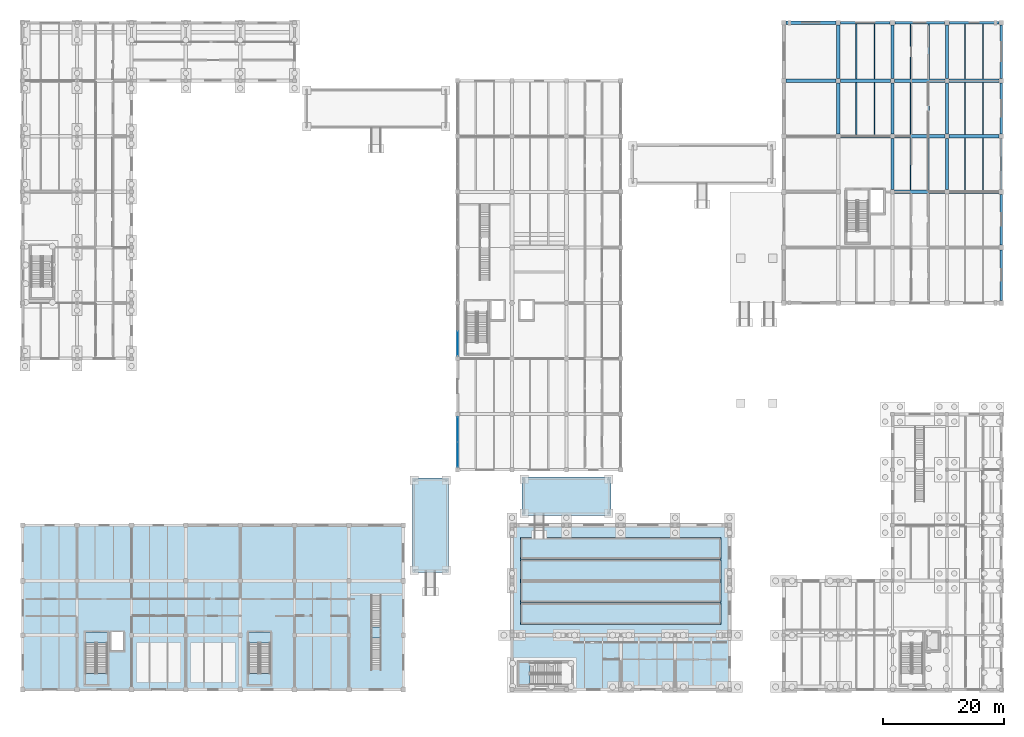
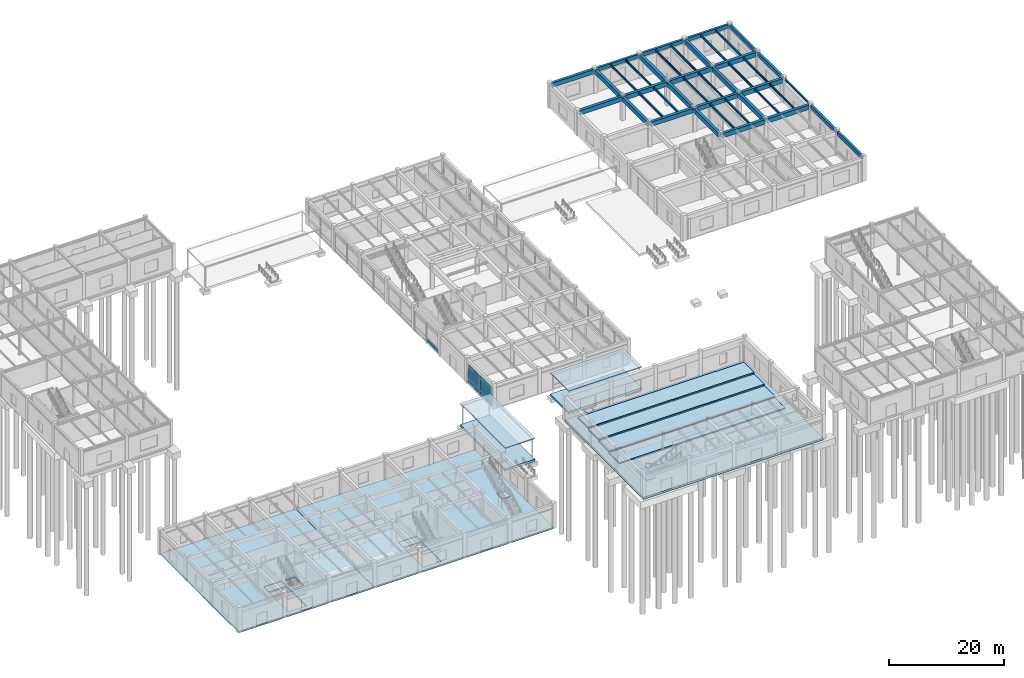
# One storey, part 35 of 76: 42 beams, 17 slabs, 7 plates, 6 elements without a shape of their own.
"""IFC4 building model written with IfcOpenShell, lengths in metres."""

from ifc_helpers import new_model, si_unit, direction, frame, origin, origin_2d, place, context, subcontext, project, spatial, polyline, rectangle, i_section, outline, extrude, material, layer, layer_set, material_profile, profile_set, type_object, element, aggregate, save


model = new_model("IFC4")

# Units and contexts
model_context = context("Model", 3, precision=1e-05, world=origin(), true_north=direction((0.0, 1.0)))
body_context = subcontext(model_context, "Body", "Model", "MODEL_VIEW")
ifc_project = project(units=[si_unit("LENGTHUNIT", "METRE"), si_unit("AREAUNIT", "SQUARE_METRE"), si_unit("VOLUMEUNIT", "CUBIC_METRE"), si_unit("PLANEANGLEUNIT", "RADIAN"), si_unit("MASSUNIT", "GRAM", prefix="KILO")], contexts=[model_context])

# Site, building, storey
site_placement = place(None, origin())
site = spatial("IfcSite", under=ifc_project, at=site_placement, CompositionType="ELEMENT")
building_placement = place(site_placement, origin())
building = spatial("IfcBuilding", under=site, at=building_placement, Name="Bozkorgan Art Gallery", CompositionType="ELEMENT")
storey_placement = place(building_placement, origin())
storey = spatial("IfcBuildingStorey", under=building, at=storey_placement, Name="L00", CompositionType="ELEMENT", Elevation=0.0)

# Beams
ifc_material_1 = material(Name="Concrete C35/45", Category="concrete")
ifc_material_profile_1 = material_profile(ifc_material_1, rectangle(XDim=0.550048828125, YDim=0.949951171875, at=origin_2d()), Name="RC 550x950")
ifc_profile_set_1 = profile_set([ifc_material_profile_1], Name="Concrete C35/45")
beam_type_1 = type_object("IfcBeamType", Name="BEAM-BM-97", PredefinedType="BEAM", material=ifc_profile_set_1)
beam_1_placement = place(storey_placement, frame((146.35009765625, 84.39990234375, 4.5849609375), z_axis=(1.0, 0.0, 0.0), x_axis=(0.0, 1.0, 0.0)))
element("IfcBeam", 1, at=beam_1_placement, inside=storey, type_object=beam_type_1, Name="V5 L00 beam X (146-155, 84.4)", PredefinedType="BEAM", context=body_context, shape_type="SweptSolid", body=[
    extrude(rectangle(XDim=0.550048828125, YDim=0.949951171875, at=origin_2d()), origin(), (0.0, 0.0, 1.0), 8.2998046875),
])
beam_2_placement = place(storey_placement, frame((155.35009765625, 84.39990234375, 4.5849609375), z_axis=(1.0, 0.0, 0.0), x_axis=(0.0, 1.0, 0.0)))
element("IfcBeam", 2, at=beam_2_placement, inside=storey, type_object=beam_type_1, Name="V5 L00 beam X (155-164, 84.4)", PredefinedType="BEAM", context=body_context, shape_type="SweptSolid", body=[
    extrude(rectangle(XDim=0.550048828125, YDim=0.949951171875, at=origin_2d()), origin(), (0.0, 0.0, 1.0), 8.25),
])
for number, where, z_axis, x_axis, name in (
    (3, (137.35009765625, 93.60009765625, 4.5849609375), (1.0, 0.0, 0.0), (0.0, 1.0, 0.0), "V5 L00 beam X (137-146, 93.6)"),
    (4, (146.35009765625, 93.60009765625, 4.5849609375), (1.0, 0.0, 0.0), (0.0, 1.0, 0.0), "V5 L00 beam X (146-155, 93.6)"),
):
    element("IfcBeam", number, at=place(storey_placement, frame(where, z_axis=z_axis, x_axis=x_axis)), inside=storey, type_object=beam_type_1, Name=name, PredefinedType="BEAM", context=body_context, shape_type="SweptSolid", body=[
        extrude(rectangle(XDim=0.550048828125, YDim=0.949951171875, at=origin_2d()), origin(), (0.0, 0.0, 1.0), 8.2998046875),
    ])
for number, where, z_axis, x_axis, name in (
    (5, (155.35009765625, 93.60009765625, 4.5849609375), (1.0, 0.0, 0.0), (0.0, 1.0, 0.0), "V5 L00 beam X (155-164, 93.6)"),
    (6, (128.39990234375, 102.800048828125, 4.5849609375), (1.0, 0.0, 0.0), (0.0, 1.0, 0.0), "V5 L00 beam X (128-137, 102.8)"),
):
    element("IfcBeam", number, at=place(storey_placement, frame(where, z_axis=z_axis, x_axis=x_axis)), inside=storey, type_object=beam_type_1, Name=name, PredefinedType="BEAM", context=body_context, shape_type="SweptSolid", body=[
        extrude(rectangle(XDim=0.550048828125, YDim=0.949951171875, at=origin_2d()), origin(), (0.0, 0.0, 1.0), 8.25),
    ])
for number, where, z_axis, x_axis, name in (
    (7, (137.35009765625, 102.800048828125, 4.5849609375), (1.0, 0.0, 0.0), (0.0, 1.0, 0.0), "V5 L00 beam X (137-146, 102.8)"),
    (8, (146.35009765625, 102.800048828125, 4.5849609375), (1.0, 0.0, 0.0), (0.0, 1.0, 0.0), "V5 L00 beam X (146-155, 102.8)"),
):
    element("IfcBeam", number, at=place(storey_placement, frame(where, z_axis=z_axis, x_axis=x_axis)), inside=storey, type_object=beam_type_1, Name=name, PredefinedType="BEAM", context=body_context, shape_type="SweptSolid", body=[
        extrude(rectangle(XDim=0.550048828125, YDim=0.949951171875, at=origin_2d()), origin(), (0.0, 0.0, 1.0), 8.2998046875),
    ])
beam_3_placement = place(storey_placement, frame((155.35009765625, 102.800048828125, 4.5849609375), z_axis=(1.0, 0.0, 0.0), x_axis=(0.0, 1.0, 0.0)))
element("IfcBeam", 9, at=beam_3_placement, inside=storey, type_object=beam_type_1, Name="V5 L00 beam X (155-164, 102.8)", PredefinedType="BEAM", context=body_context, shape_type="SweptSolid", body=[
    extrude(rectangle(XDim=0.550048828125, YDim=0.949951171875, at=origin_2d()), origin(), (0.0, 0.0, 1.0), 8.25),
])
beam_4_placement = place(storey_placement, frame((128.39990234375, 112.39990234375, 4.5849609375), z_axis=(1.0, 0.0, 0.0), x_axis=(0.0, 1.0, 0.0)))
element("IfcBeam", 10, at=beam_4_placement, inside=storey, type_object=beam_type_1, Name="V5 L00 beam X (128-137, 112.4)", PredefinedType="BEAM", context=body_context, shape_type="SweptSolid", body=[
    extrude(rectangle(XDim=0.550048828125, YDim=0.949951171875, at=origin_2d()), origin(), (0.0, 0.0, 1.0), 8.2001953125),
])
beam_5_placement = place(storey_placement, frame((137.0, 93.949951171875, 4.5849609375), z_axis=(0.0, 1.0, 0.0), x_axis=(-1.0, 0.0, 0.0)))
element("IfcBeam", 11, at=beam_5_placement, inside=storey, type_object=beam_type_1, Name="V5 L00 beam Y (137, 93.6-102.8)", PredefinedType="BEAM", context=body_context, shape_type="SweptSolid", body=[
    extrude(rectangle(XDim=0.550048828125, YDim=0.949951171875, at=origin_2d()), origin(), (0.0, 0.0, 1.0), 8.5),
])
beam_6_placement = place(storey_placement, frame((137.0, 103.14990234375, 4.5849609375), z_axis=(0.0, 1.0, 0.0), x_axis=(-1.0, 0.0, 0.0)))
element("IfcBeam", 12, at=beam_6_placement, inside=storey, type_object=beam_type_1, Name="V5 L00 beam Y (137, 102.8-112.4)", PredefinedType="BEAM", context=body_context, shape_type="SweptSolid", body=[
    extrude(rectangle(XDim=0.550048828125, YDim=0.949951171875, at=origin_2d()), origin(), (0.0, 0.0, 1.0), 8.85009765625),
])
for number, where, z_axis, x_axis, name in (
    (13, (146.0, 84.75, 4.5849609375), (0.0, 1.0, 0.0), (-1.0, 0.0, 0.0), "V5 L00 beam Y (146, 84.4-93.6)"),
    (14, (146.0, 93.949951171875, 4.5849609375), (0.0, 1.0, 0.0), (-1.0, 0.0, 0.0), "V5 L00 beam Y (146, 93.6-102.8)"),
):
    element("IfcBeam", number, at=place(storey_placement, frame(where, z_axis=z_axis, x_axis=x_axis)), inside=storey, type_object=beam_type_1, Name=name, PredefinedType="BEAM", context=body_context, shape_type="SweptSolid", body=[
        extrude(rectangle(XDim=0.550048828125, YDim=0.949951171875, at=origin_2d()), origin(), (0.0, 0.0, 1.0), 8.5),
    ])
beam_7_placement = place(storey_placement, frame((146.0, 103.14990234375, 4.5849609375), z_axis=(0.0, 1.0, 0.0), x_axis=(-1.0, 0.0, 0.0)))
element("IfcBeam", 15, at=beam_7_placement, inside=storey, type_object=beam_type_1, Name="V5 L00 beam Y (146, 102.8-112.4)", PredefinedType="BEAM", context=body_context, shape_type="SweptSolid", body=[
    extrude(rectangle(XDim=0.550048828125, YDim=0.949951171875, at=origin_2d()), origin(), (0.0, 0.0, 1.0), 8.85009765625),
])
for number, where, z_axis, x_axis, name in (
    (16, (155.0, 84.75, 4.5849609375), (0.0, 1.0, 0.0), (-1.0, 0.0, 0.0), "V5 L00 beam Y (155, 84.4-93.6)"),
    (17, (155.0, 93.949951171875, 4.5849609375), (0.0, 1.0, 0.0), (-1.0, 0.0, 0.0), "V5 L00 beam Y (155, 93.6-102.8)"),
):
    element("IfcBeam", number, at=place(storey_placement, frame(where, z_axis=z_axis, x_axis=x_axis)), inside=storey, type_object=beam_type_1, Name=name, PredefinedType="BEAM", context=body_context, shape_type="SweptSolid", body=[
        extrude(rectangle(XDim=0.550048828125, YDim=0.949951171875, at=origin_2d()), origin(), (0.0, 0.0, 1.0), 8.5),
    ])
beam_8_placement = place(storey_placement, frame((155.0, 103.14990234375, 4.5849609375), z_axis=(0.0, 1.0, 0.0), x_axis=(-1.0, 0.0, 0.0)))
element("IfcBeam", 18, at=beam_8_placement, inside=storey, type_object=beam_type_1, Name="V5 L00 beam Y (155, 102.8-112.4)", PredefinedType="BEAM", context=body_context, shape_type="SweptSolid", body=[
    extrude(rectangle(XDim=0.550048828125, YDim=0.949951171875, at=origin_2d()), origin(), (0.0, 0.0, 1.0), 8.85009765625),
])
ifc_material_2 = material(Name="Steel S355J2", Category="steel")
ifc_material_profile_2 = material_profile(ifc_material_2, i_section(OverallWidth=0.18994140625, OverallDepth=0.449951171875, WebThickness=0.009521484375, FlangeThickness=0.0146484375, FilletRadius=0.02099609375, at=origin_2d()), Name="IPE 450")
ifc_profile_set_2 = profile_set([ifc_material_profile_2], Name="Steel S355J2")
beam_type_2 = type_object("IfcBeamType", Name="BEAM-JS-56", PredefinedType="JOIST", material=ifc_profile_set_2)
for number, where, z_axis, x_axis, name in (
    (19, (140.0, 93.875, 4.8349609375), (0.0, 1.0, 0.0), (-1.0, 0.0, 0.0), "V5 L00 secondary joist (137-146, 93.6-102.8) #1"),
    (20, (143.0, 93.875, 4.8349609375), (0.0, 1.0, 0.0), (-1.0, 0.0, 0.0), "V5 L00 secondary joist (137-146, 93.6-102.8) #2"),
):
    element("IfcBeam", number, at=place(storey_placement, frame(where, z_axis=z_axis, x_axis=x_axis)), inside=storey, type_object=beam_type_2, Name=name, PredefinedType="JOIST", context=body_context, shape_type="SweptSolid", body=[
        extrude(i_section(OverallWidth=0.18994140625, OverallDepth=0.449951171875, WebThickness=0.009521484375, FlangeThickness=0.0146484375, FilletRadius=0.02099609375, at=origin_2d()), origin(), (0.0, 0.0, 1.0), 8.64990234375),
    ])
for number, where, z_axis, x_axis, name in (
    (21, (140.0, 103.074951171875, 4.8349609375), (0.0, 1.0, 0.0), (-1.0, 0.0, 0.0), "V5 L00 secondary joist (137-146, 102.8-112.4) #1"),
    (22, (143.0, 103.074951171875, 4.8349609375), (0.0, 1.0, 0.0), (-1.0, 0.0, 0.0), "V5 L00 secondary joist (137-146, 102.8-112.4) #2"),
):
    element("IfcBeam", number, at=place(storey_placement, frame(where, z_axis=z_axis, x_axis=x_axis)), inside=storey, type_object=beam_type_2, Name=name, PredefinedType="JOIST", context=body_context, shape_type="SweptSolid", body=[
        extrude(i_section(OverallWidth=0.18994140625, OverallDepth=0.449951171875, WebThickness=0.009521484375, FlangeThickness=0.0146484375, FilletRadius=0.02099609375, at=origin_2d()), origin(), (0.0, 0.0, 1.0), 9.10009765625),
    ])
for number, where, z_axis, x_axis, name in (
    (23, (149.0, 84.675048828125, 4.8349609375), (0.0, 1.0, 0.0), (-1.0, 0.0, 0.0), "V5 L00 secondary joist (146-155, 84.4-93.6) #1"),
    (24, (152.0, 84.675048828125, 4.8349609375), (0.0, 1.0, 0.0), (-1.0, 0.0, 0.0), "V5 L00 secondary joist (146-155, 84.4-93.6) #2"),
    (25, (149.0, 93.875, 4.8349609375), (0.0, 1.0, 0.0), (-1.0, 0.0, 0.0), "V5 L00 secondary joist (146-155, 93.6-102.8) #1"),
    (26, (152.0, 93.875, 4.8349609375), (0.0, 1.0, 0.0), (-1.0, 0.0, 0.0), "V5 L00 secondary joist (146-155, 93.6-102.8) #2"),
):
    element("IfcBeam", number, at=place(storey_placement, frame(where, z_axis=z_axis, x_axis=x_axis)), inside=storey, type_object=beam_type_2, Name=name, PredefinedType="JOIST", context=body_context, shape_type="SweptSolid", body=[
        extrude(i_section(OverallWidth=0.18994140625, OverallDepth=0.449951171875, WebThickness=0.009521484375, FlangeThickness=0.0146484375, FilletRadius=0.02099609375, at=origin_2d()), origin(), (0.0, 0.0, 1.0), 8.64990234375),
    ])
for number, where, z_axis, x_axis, name in (
    (27, (149.0, 103.074951171875, 4.8349609375), (0.0, 1.0, 0.0), (-1.0, 0.0, 0.0), "V5 L00 secondary joist (146-155, 102.8-112.4) #1"),
    (28, (152.0, 103.074951171875, 4.8349609375), (0.0, 1.0, 0.0), (-1.0, 0.0, 0.0), "V5 L00 secondary joist (146-155, 102.8-112.4) #2"),
):
    element("IfcBeam", number, at=place(storey_placement, frame(where, z_axis=z_axis, x_axis=x_axis)), inside=storey, type_object=beam_type_2, Name=name, PredefinedType="JOIST", context=body_context, shape_type="SweptSolid", body=[
        extrude(i_section(OverallWidth=0.18994140625, OverallDepth=0.449951171875, WebThickness=0.009521484375, FlangeThickness=0.0146484375, FilletRadius=0.02099609375, at=origin_2d()), origin(), (0.0, 0.0, 1.0), 9.10009765625),
    ])
for number, where, z_axis, x_axis, name in (
    (29, (158.0, 84.675048828125, 4.8349609375), (0.0, 1.0, 0.0), (-1.0, 0.0, 0.0), "V5 L00 secondary joist (155-164, 84.4-93.6) #1"),
    (30, (161.0, 84.675048828125, 4.8349609375), (0.0, 1.0, 0.0), (-1.0, 0.0, 0.0), "V5 L00 secondary joist (155-164, 84.4-93.6) #2"),
    (31, (158.0, 93.875, 4.8349609375), (0.0, 1.0, 0.0), (-1.0, 0.0, 0.0), "V5 L00 secondary joist (155-164, 93.6-102.8) #1"),
    (32, (161.0, 93.875, 4.8349609375), (0.0, 1.0, 0.0), (-1.0, 0.0, 0.0), "V5 L00 secondary joist (155-164, 93.6-102.8) #2"),
):
    element("IfcBeam", number, at=place(storey_placement, frame(where, z_axis=z_axis, x_axis=x_axis)), inside=storey, type_object=beam_type_2, Name=name, PredefinedType="JOIST", context=body_context, shape_type="SweptSolid", body=[
        extrude(i_section(OverallWidth=0.18994140625, OverallDepth=0.449951171875, WebThickness=0.009521484375, FlangeThickness=0.0146484375, FilletRadius=0.02099609375, at=origin_2d()), origin(), (0.0, 0.0, 1.0), 8.64990234375),
    ])
for number, where, z_axis, x_axis, name in (
    (33, (158.0, 103.074951171875, 4.8349609375), (0.0, 1.0, 0.0), (-1.0, 0.0, 0.0), "V5 L00 secondary joist (155-164, 102.8-112.4) #1"),
    (34, (161.0, 103.074951171875, 4.8349609375), (0.0, 1.0, 0.0), (-1.0, 0.0, 0.0), "V5 L00 secondary joist (155-164, 102.8-112.4) #2"),
):
    element("IfcBeam", number, at=place(storey_placement, frame(where, z_axis=z_axis, x_axis=x_axis)), inside=storey, type_object=beam_type_2, Name=name, PredefinedType="JOIST", context=body_context, shape_type="SweptSolid", body=[
        extrude(i_section(OverallWidth=0.18994140625, OverallDepth=0.449951171875, WebThickness=0.009521484375, FlangeThickness=0.0146484375, FilletRadius=0.02099609375, at=origin_2d()), origin(), (0.0, 0.0, 1.0), 9.10009765625),
    ])
ifc_material_profile_3 = material_profile(ifc_material_2, i_section(OverallWidth=0.300048828125, OverallDepth=0.2900390625, WebThickness=0.008544921875, FlangeThickness=0.013916015625, FilletRadius=0.027099609375, at=origin_2d()), Name="HEA 300")
ifc_profile_set_3 = profile_set([ifc_material_profile_3], Name="Steel S355J2")
beam_type_3 = type_object("IfcBeamType", Name="BEAM-LN-10", PredefinedType="LINTEL", material=ifc_profile_set_3)
beam_9_placement = place(storey_placement, frame((164.0, 84.800048828125, 4.9150390625), z_axis=(0.0, 1.0, 0.0), x_axis=(-1.0, 0.0, 0.0)))
element("IfcBeam", 35, at=beam_9_placement, inside=storey, type_object=beam_type_3, Name="V5 L00 lintel Y (164, 84.4-93.6)", PredefinedType="LINTEL", context=body_context, shape_type="SweptSolid", body=[
    extrude(i_section(OverallWidth=0.300048828125, OverallDepth=0.2900390625, WebThickness=0.008544921875, FlangeThickness=0.013916015625, FilletRadius=0.027099609375, at=origin_2d()), origin(), (0.0, 0.0, 1.0), 8.39990234375),
])
ifc_material_profile_4 = material_profile(ifc_material_1, rectangle(XDim=0.449951171875, YDim=0.75, at=origin_2d()), Name="RC 450x750")
ifc_profile_set_4 = profile_set([ifc_material_profile_4], Name="Concrete C35/45")
beam_type_4 = type_object("IfcBeamType", Name="BEAM-SP-27", PredefinedType="SPANDREL", material=ifc_profile_set_4)
for number, where, z_axis, x_axis, name in (
    (36, (137.39990234375, 112.39990234375, 4.68505859375), (1.0, 0.0, 0.0), (0.0, 1.0, 0.0), "V5 L00 spandrel X (137-146, 112.4)"),
    (37, (146.39990234375, 112.39990234375, 4.68505859375), (1.0, 0.0, 0.0), (0.0, 1.0, 0.0), "V5 L00 spandrel X (146-155, 112.4)"),
    (38, (155.39990234375, 112.39990234375, 4.68505859375), (1.0, 0.0, 0.0), (0.0, 1.0, 0.0), "V5 L00 spandrel X (155-164, 112.4)"),
):
    element("IfcBeam", number, at=place(storey_placement, frame(where, z_axis=z_axis, x_axis=x_axis)), inside=storey, type_object=beam_type_4, Name=name, PredefinedType="SPANDREL", context=body_context, shape_type="SweptSolid", body=[
        extrude(rectangle(XDim=0.449951171875, YDim=0.75, at=origin_2d()), origin(), (0.0, 0.0, 1.0), 8.2001953125),
    ])
beam_10_placement = place(storey_placement, frame((164.0, 66.39990234375, 4.68505859375), z_axis=(0.0, 1.0, 0.0), x_axis=(-1.0, 0.0, 0.0)))
element("IfcBeam", 39, at=beam_10_placement, inside=storey, type_object=beam_type_4, Name="V5 L00 spandrel Y (164, 66.0-75.2)", PredefinedType="SPANDREL", context=body_context, shape_type="SweptSolid", body=[
    extrude(rectangle(XDim=0.449951171875, YDim=0.75, at=origin_2d()), origin(), (0.0, 0.0, 1.0), 8.400146484375),
])
for number, where, z_axis, x_axis, name in (
    (40, (164.0, 75.60009765625, 4.68505859375), (0.0, 1.0, 0.0), (-1.0, 0.0, 0.0), "V5 L00 spandrel Y (164, 75.2-84.4)"),
    (41, (164.0, 94.0, 4.68505859375), (0.0, 1.0, 0.0), (-1.0, 0.0, 0.0), "V5 L00 spandrel Y (164, 93.6-102.8)"),
):
    element("IfcBeam", number, at=place(storey_placement, frame(where, z_axis=z_axis, x_axis=x_axis)), inside=storey, type_object=beam_type_4, Name=name, PredefinedType="SPANDREL", context=body_context, shape_type="SweptSolid", body=[
        extrude(rectangle(XDim=0.449951171875, YDim=0.75, at=origin_2d()), origin(), (0.0, 0.0, 1.0), 8.39990234375),
    ])
beam_11_placement = place(storey_placement, frame((164.0, 103.199951171875, 4.68505859375), z_axis=(0.0, 1.0, 0.0), x_axis=(-1.0, 0.0, 0.0)))
element("IfcBeam", 42, at=beam_11_placement, inside=storey, type_object=beam_type_4, Name="V5 L00 spandrel Y (164, 102.8-112.4)", PredefinedType="SPANDREL", context=body_context, shape_type="SweptSolid", body=[
    extrude(rectangle(XDim=0.449951171875, YDim=0.75, at=origin_2d()), origin(), (0.0, 0.0, 1.0), 8.800048828125),
])

# Curtain wall, plates
ifc_material_3 = material(Name="Anodised Bronze Aluminium", Category="aluminium")
curtain_wall_type = type_object("IfcCurtainWallType", Name="CW-CW-87", PredefinedType="NOTDEFINED", material=ifc_material_3)
curtain_wall_1_placement = place(storey_placement, origin())
curtain_wall_1 = element("IfcCurtainWall", 43, at=curtain_wall_1_placement, inside=storey, type_object=curtain_wall_type, Name="L00 unitised curtain wall CW-V4-L00-1W-07", PredefinedType="NOTDEFINED")
ifc_material_4 = material(Name="Triple Low-E Laminated Glass", Category="glass")
ifc_layer_1 = layer(ifc_material_4, 0.0439453125, Name="Triple Low-E Laminated Glass")
ifc_layer_set_1 = layer_set([ifc_layer_1], Name="Triple Low-E Laminated Glass")
plate_type = type_object("IfcPlateType", Name="CWP-GLZ", PredefinedType="CURTAIN_PANEL", material=ifc_layer_set_1)
plate_1_placement = place(storey_placement, frame((74.0, 40.92626953125, 0.10009765625), z_axis=(0.0, 0.0, 1.0), x_axis=(0.0, 1.0, 0.0)))
plate_1 = element("IfcPlate", 44, at=plate_1_placement, type_object=plate_type, Name="CW-87 panel 1.1", PredefinedType="CURTAIN_PANEL", context=body_context, shape_type="SweptSolid", body=[
    extrude(rectangle(XDim=4.072509765625, YDim=0.0439453125, at=origin_2d()), origin(), (0.0, 0.0, 1.0), 0.780029296875),
])
plate_2_placement = place(storey_placement, frame((74.0, 40.92626953125, 0.9599609375), z_axis=(0.0, 0.0, 1.0), x_axis=(0.0, 1.0, 0.0)))
plate_2 = element("IfcPlate", 45, at=plate_2_placement, type_object=plate_type, Name="CW-87 panel 1.2", PredefinedType="CURTAIN_PANEL", context=body_context, shape_type="SweptSolid", body=[
    extrude(rectangle(XDim=4.072509765625, YDim=0.0439453125, at=origin_2d()), origin(), (0.0, 0.0, 1.0), 2.544921875),
])
plate_3_placement = place(storey_placement, frame((74.0, 40.92626953125, 3.5849609375), z_axis=(0.0, 0.0, 1.0), x_axis=(0.0, 1.0, 0.0)))
plate_3 = element("IfcPlate", 46, at=plate_3_placement, type_object=plate_type, Name="CW-87 panel 1.3", PredefinedType="CURTAIN_PANEL", context=body_context, shape_type="SweptSolid", body=[
    extrude(rectangle(XDim=4.072509765625, YDim=0.0439453125, at=origin_2d()), origin(), (0.0, 0.0, 1.0), 0.530029296875),
])
plate_4_placement = place(storey_placement, frame((74.0, 45.07373046875, 0.10009765625), z_axis=(0.0, 0.0, 1.0), x_axis=(0.0, 1.0, 0.0)))
plate_4 = element("IfcPlate", 47, at=plate_4_placement, type_object=plate_type, Name="CW-87 panel 2.1", PredefinedType="CURTAIN_PANEL", context=body_context, shape_type="SweptSolid", body=[
    extrude(rectangle(XDim=4.072509765625, YDim=0.0439453125, at=origin_2d()), origin(), (0.0, 0.0, 1.0), 0.780029296875),
])
plate_5_placement = place(storey_placement, frame((74.0, 45.07373046875, 0.9599609375), z_axis=(0.0, 0.0, 1.0), x_axis=(0.0, 1.0, 0.0)))
plate_5 = element("IfcPlate", 48, at=plate_5_placement, type_object=plate_type, Name="CW-87 panel 2.2", PredefinedType="CURTAIN_PANEL", context=body_context, shape_type="SweptSolid", body=[
    extrude(rectangle(XDim=4.072509765625, YDim=0.0439453125, at=origin_2d()), origin(), (0.0, 0.0, 1.0), 2.544921875),
])
plate_6_placement = place(storey_placement, frame((74.0, 45.07373046875, 3.5849609375), z_axis=(0.0, 0.0, 1.0), x_axis=(0.0, 1.0, 0.0)))
plate_6 = element("IfcPlate", 49, at=plate_6_placement, type_object=plate_type, Name="CW-87 panel 2.3", PredefinedType="CURTAIN_PANEL", context=body_context, shape_type="SweptSolid", body=[
    extrude(rectangle(XDim=4.072509765625, YDim=0.0439453125, at=origin_2d()), origin(), (0.0, 0.0, 1.0), 0.530029296875),
])
aggregate(curtain_wall_1, [plate_1, plate_2, plate_3, plate_4, plate_5, plate_6])

# Curtain wall, plate
curtain_wall_2_placement = place(storey_placement, origin())
curtain_wall_2 = element("IfcCurtainWall", 50, at=curtain_wall_2_placement, inside=storey, type_object=curtain_wall_type, Name="L00 unitised curtain wall CW-V4-L00-1W-11", PredefinedType="NOTDEFINED")
plate_7_placement = place(storey_placement, frame((74.0, 59.326171875, 0.10009765625), z_axis=(0.0, 0.0, 1.0), x_axis=(0.0, 1.0, 0.0)))
plate_7 = element("IfcPlate", 51, at=plate_7_placement, type_object=plate_type, Name="CW-87 panel 1.1", PredefinedType="CURTAIN_PANEL", context=body_context, shape_type="SweptSolid", body=[
    extrude(rectangle(XDim=4.072509765625, YDim=0.0439453125, at=origin_2d()), origin(), (0.0, 0.0, 1.0), 0.780029296875),
])
aggregate(curtain_wall_2, [plate_7])

# Stair, slab
stair_type_1 = type_object("IfcStairType", Name="STAIR-CORE1", PredefinedType="HALF_TURN_STAIR", material=ifc_material_1)
stair_1_placement = place(storey_placement, origin())
stair_1 = element("IfcStair", 52, at=stair_1_placement, inside=storey, type_object=stair_type_1, Name="L00 ST1 Core Stair", PredefinedType="HALF_TURN_STAIR")
ifc_layer_2 = layer(ifc_material_1, 0.25, Name="Concrete C35/45")
ifc_layer_set_2 = layer_set([ifc_layer_2], Name="Concrete C35/45")
slab_type_1 = type_object("IfcSlabType", Name="LAND-CORE1", PredefinedType="LANDING", material=ifc_layer_set_2)
slab_1_placement = place(storey_placement, frame((0.0, 0.0, 2.5)))
slab_1 = element("IfcSlab", 53, at=slab_1_placement, type_object=slab_type_1, Name="ST1 landing 1", PredefinedType="LANDING", context=body_context, shape_type="SweptSolid", body=[
    extrude(outline(polyline([(12.39990234375, 4.64990234375), (12.39990234375, 2.85009765625), (16.0, 2.85009765625), (16.0, 4.64990234375), (12.39990234375, 4.64990234375)])), origin(), (0.0, 0.0, 1.0), 0.199951171875),
])
aggregate(stair_1, [slab_1])

# Slab
slab_2_placement = place(storey_placement, frame((0.0, 0.0, -0.320068359375)))
element("IfcSlab", 54, at=slab_2_placement, inside=storey, type_object=slab_type_1, Name="ST1 L00 floor landing", PredefinedType="LANDING", context=body_context, shape_type="SweptSolid", body=[
    extrude(outline(polyline([(12.39990234375, 9.75), (16.0, 9.75), (16.0, 11.5), (12.39990234375, 11.5), (12.39990234375, 9.75)])), origin(), (0.0, 0.0, 1.0), 0.320068359375),
])

# Stair, slab
stair_type_2 = type_object("IfcStairType", Name="STAIR-CORE6", PredefinedType="HALF_TURN_STAIR", material=ifc_material_1)
stair_2_placement = place(storey_placement, origin())
stair_2 = element("IfcStair", 55, at=stair_2_placement, inside=storey, type_object=stair_type_2, Name="L00 ST6 Core Stair", PredefinedType="HALF_TURN_STAIR")
ifc_layer_3 = layer(ifc_material_1, 0.25, Name="Concrete C35/45")
ifc_layer_set_3 = layer_set([ifc_layer_3], Name="Concrete C35/45")
slab_type_2 = type_object("IfcSlabType", Name="LAND-CORE6", PredefinedType="LANDING", material=ifc_layer_set_3)
slab_3_placement = place(storey_placement, frame((0.0, 0.0, 2.5)))
slab_3 = element("IfcSlab", 56, at=slab_3_placement, type_object=slab_type_2, Name="ST6 landing 1", PredefinedType="LANDING", context=body_context, shape_type="SweptSolid", body=[
    extrude(outline(polyline([(86.0, 6.449951171875), (84.199951171875, 6.449951171875), (84.199951171875, 2.85009765625), (86.0, 2.85009765625), (86.0, 6.449951171875)])), origin(), (0.0, 0.0, 1.0), 0.199951171875),
])
aggregate(stair_2, [slab_3])

stair_type_3 = type_object("IfcStairType", Name="STAIR-CORE7", PredefinedType="HALF_TURN_STAIR", material=ifc_material_1)
stair_3_placement = place(storey_placement, origin())
stair_3 = element("IfcStair", 57, at=stair_3_placement, inside=storey, type_object=stair_type_3, Name="L00 ST12 Core Stair", PredefinedType="HALF_TURN_STAIR")
ifc_layer_4 = layer(ifc_material_1, 0.25, Name="Concrete C35/45")
ifc_layer_set_4 = layer_set([ifc_layer_4], Name="Concrete C35/45")
slab_type_3 = type_object("IfcSlabType", Name="LAND-CORE7", PredefinedType="LANDING", material=ifc_layer_set_4)
slab_4_placement = place(storey_placement, frame((0.0, 0.0, 2.5)))
slab_4 = element("IfcSlab", 58, at=slab_4_placement, type_object=slab_type_3, Name="ST12 landing 1", PredefinedType="LANDING", context=body_context, shape_type="SweptSolid", body=[
    extrude(outline(polyline([(39.39990234375, 4.64990234375), (39.39990234375, 2.85009765625), (43.0, 2.85009765625), (43.0, 4.64990234375), (39.39990234375, 4.64990234375)])), origin(), (0.0, 0.0, 1.0), 0.199951171875),
])
aggregate(stair_3, [slab_4])

# Slab
slab_5_placement = place(storey_placement, frame((0.0, 0.0, -0.320068359375)))
element("IfcSlab", 59, at=slab_5_placement, inside=storey, type_object=slab_type_3, Name="ST12 L00 floor landing", PredefinedType="LANDING", context=body_context, shape_type="SweptSolid", body=[
    extrude(outline(polyline([(39.39990234375, 9.75), (43.0, 9.75), (43.0, 11.5), (39.39990234375, 11.5), (39.39990234375, 9.75)])), origin(), (0.0, 0.0, 1.0), 0.320068359375),
])

# Stair, slab
stair_type_4 = type_object("IfcStairType", Name="FSTAIR-ST7", PredefinedType="STRAIGHT_RUN_STAIR", material=ifc_material_2)
stair_4_placement = place(storey_placement, origin())
stair_4 = element("IfcStair", 60, at=stair_4_placement, inside=storey, type_object=stair_type_4, Name="ST7 Feature Stair (L00 to L01)", PredefinedType="STRAIGHT_RUN_STAIR")
ifc_layer_5 = layer(ifc_material_1, 0.239990234375, Name="Concrete C35/45")
ifc_layer_set_5 = layer_set([ifc_layer_5], Name="Concrete C35/45")
slab_type_4 = type_object("IfcSlabType", Name="LAND-FEAT", PredefinedType="LANDING", material=ifc_layer_set_5)
slab_6_placement = place(storey_placement, frame((0.0, 0.0, 2.4599609375)))
slab_6 = element("IfcSlab", 61, at=slab_6_placement, type_object=slab_type_4, Name="ST7 intermediate landing", PredefinedType="LANDING", context=body_context, shape_type="SweptSolid", body=[
    extrude(outline(polyline([(59.675048828125, 10.530029296875), (61.324951171875, 10.530029296875), (61.324951171875, 12.330078125), (59.675048828125, 12.330078125), (59.675048828125, 10.530029296875)])), origin(), (0.0, 0.0, 1.0), 0.239990234375),
])
aggregate(stair_4, [slab_6])

# Slabs
ifc_layer_6 = layer(ifc_material_1, 0.239990234375, Name="Concrete C35/45")
ifc_layer_set_6 = layer_set([ifc_layer_6], Name="Concrete C35/45")
slab_type_5 = type_object("IfcSlabType", Name="SLAB-AU-45", PredefinedType="FLOOR", material=ifc_layer_set_6)
slab_7_placement = place(storey_placement, frame((0.0, 0.0, 0.080078125)))
element("IfcSlab", 62, at=slab_7_placement, inside=storey, type_object=slab_type_5, Name="Auditorium Stalls stepped floor tier 1", PredefinedType="FLOOR", context=body_context, shape_type="SweptSolid", body=[
    extrude(outline(polyline([(84.39990234375, 12.800048828125), (117.60009765625, 12.800048828125), (117.60009765625, 16.360107421875), (84.39990234375, 16.360107421875), (84.39990234375, 12.800048828125)])), origin(), (0.0, 0.0, 1.0), 0.239990234375),
])
slab_8_placement = place(storey_placement, frame((0.0, 0.0, 0.39990234375)))
element("IfcSlab", 63, at=slab_8_placement, inside=storey, type_object=slab_type_5, Name="Auditorium Stalls stepped floor tier 2", PredefinedType="FLOOR", context=body_context, shape_type="SweptSolid", body=[
    extrude(outline(polyline([(84.39990234375, 16.39990234375), (117.60009765625, 16.39990234375), (117.60009765625, 19.9599609375), (84.39990234375, 19.9599609375), (84.39990234375, 16.39990234375)])), origin(), (0.0, 0.0, 1.0), 0.239990234375),
])
slab_9_placement = place(storey_placement, frame((0.0, 0.0, 0.719970703125)))
element("IfcSlab", 64, at=slab_9_placement, inside=storey, type_object=slab_type_5, Name="Auditorium Stalls stepped floor tier 3", PredefinedType="FLOOR", context=body_context, shape_type="SweptSolid", body=[
    extrude(outline(polyline([(84.39990234375, 20.0), (117.60009765625, 20.0), (117.60009765625, 23.56005859375), (84.39990234375, 23.56005859375), (84.39990234375, 20.0)])), origin(), (0.0, 0.0, 1.0), 0.239990234375),
])
slab_10_placement = place(storey_placement, frame((0.0, 0.0, 1.0400390625)))
element("IfcSlab", 65, at=slab_10_placement, inside=storey, type_object=slab_type_5, Name="Auditorium Stalls stepped floor tier 4", PredefinedType="FLOOR", context=body_context, shape_type="SweptSolid", body=[
    extrude(outline(polyline([(84.39990234375, 23.60009765625), (117.60009765625, 23.60009765625), (117.60009765625, 27.159912109375), (84.39990234375, 27.159912109375), (84.39990234375, 23.60009765625)])), origin(), (0.0, 0.0, 1.0), 0.239990234375),
])
ifc_layer_7 = layer(ifc_material_1, 0.449951171875, Name="Concrete C35/45")
ifc_layer_set_7 = layer_set([ifc_layer_7], Name="Concrete C35/45")
slab_type_6 = type_object("IfcSlabType", Name="SLAB-BS-75", PredefinedType="BASESLAB", material=ifc_layer_set_7)
slab_11_placement = place(storey_placement, frame((0.0, 0.0, -0.449951171875)))
element("IfcSlab", 66, at=slab_11_placement, inside=storey, type_object=slab_type_6, Name="V3 L00 base slab 1.1", PredefinedType="BASESLAB", context=body_context, shape_type="SweptSolid", body=[
    extrude(outline(polyline([(83.0, 2.0), (119.0, 2.0), (119.0, 29.199951171875), (83.0, 29.199951171875), (83.0, 2.0)])), origin(), (0.0, 0.0, 1.0), 0.449951171875),
])
ifc_layer_8 = layer(ifc_material_1, 0.320068359375, Name="Concrete C35/45")
ifc_layer_set_8 = layer_set([ifc_layer_8], Name="Concrete C35/45")
slab_type_7 = type_object("IfcSlabType", Name="SLAB-SL-59", PredefinedType="FLOOR", material=ifc_layer_set_8)
slab_12_placement = place(storey_placement, frame((0.0, 0.0, -0.320068359375)))
element("IfcSlab", 67, at=slab_12_placement, inside=storey, type_object=slab_type_7, Name="V1 L00 floor slab 1.1", PredefinedType="FLOOR", context=body_context, shape_type="SweptSolid", body=[
    extrude(outline(polyline([(2.0, 2.0), (29.0, 2.0), (29.0, 29.199951171875), (2.0, 29.199951171875), (2.0, 2.0)]), holes=[polyline([(12.39990234375, 2.85009765625), (16.0, 2.85009765625), (16.0, 11.5), (12.39990234375, 11.5), (12.39990234375, 2.85009765625)]), polyline([(16.64990234375, 8.5), (18.64990234375, 8.5), (18.64990234375, 11.5), (16.64990234375, 11.5), (16.64990234375, 8.5)])]), origin(), (0.0, 0.0, 1.0), 0.320068359375),
])
slab_13_placement = place(storey_placement, frame((0.0, 0.0, -0.320068359375)))
element("IfcSlab", 68, at=slab_13_placement, inside=storey, type_object=slab_type_7, Name="V1 L00 floor slab 1.2", PredefinedType="FLOOR", context=body_context, shape_type="SweptSolid", body=[
    extrude(outline(polyline([(29.0, 2.0), (65.0, 2.0), (65.0, 29.199951171875), (29.0, 29.199951171875), (29.0, 2.0)]), holes=[polyline([(39.39990234375, 2.85009765625), (43.0, 2.85009765625), (43.0, 11.5), (39.39990234375, 11.5), (39.39990234375, 2.85009765625)])]), origin(), (0.0, 0.0, 1.0), 0.320068359375),
])
ifc_layer_9 = layer(ifc_material_1, 0.43994140625, Name="Concrete C35/45")
ifc_layer_set_9 = layer_set([ifc_layer_9], Name="Concrete C35/45")
slab_type_8 = type_object("IfcSlabType", Name="SLAB-WB-45", PredefinedType="BASESLAB", material=ifc_layer_set_9)
slab_14_placement = place(storey_placement, frame((0.0, 0.0, -0.43994140625)))
element("IfcSlab", 69, at=slab_14_placement, inside=storey, type_object=slab_type_8, Name="West Water-Court Covered Walk deck slab", PredefinedType="BASESLAB", context=body_context, shape_type="SweptSolid", body=[
    extrude(outline(polyline([(66.5, 21.39990234375), (72.5, 21.39990234375), (72.5, 37.0), (66.5, 37.0), (66.5, 21.39990234375)])), origin(), (0.0, 0.0, 1.0), 0.43994140625),
])
slab_15_placement = place(storey_placement, frame((0.0, 0.0, -0.43994140625)))
element("IfcSlab", 70, at=slab_15_placement, inside=storey, type_object=slab_type_8, Name="Auditorium Foyer Covered Walk deck slab", PredefinedType="BASESLAB", context=body_context, shape_type="SweptSolid", body=[
    extrude(outline(polyline([(84.64990234375, 30.85009765625), (99.35009765625, 30.85009765625), (99.35009765625, 37.199951171875), (84.64990234375, 37.199951171875), (84.64990234375, 30.85009765625)])), origin(), (0.0, 0.0, 1.0), 0.43994140625),
])
ifc_layer_10 = layer(ifc_material_1, 0.199951171875, Name="Concrete C35/45")
ifc_layer_set_10 = layer_set([ifc_layer_10], Name="Concrete C35/45")
slab_type_9 = type_object("IfcSlabType", Name="SLAB-WR-42", PredefinedType="ROOF", material=ifc_layer_set_10)
slab_16_placement = place(storey_placement, frame((0.0, 0.0, 4.300048828125)))
element("IfcSlab", 71, at=slab_16_placement, inside=storey, type_object=slab_type_9, Name="West Water-Court Covered Walk canopy slab", PredefinedType="ROOF", context=body_context, shape_type="SweptSolid", body=[
    extrude(outline(polyline([(66.5, 21.39990234375), (72.5, 21.39990234375), (72.5, 37.0), (66.5, 37.0), (66.5, 21.39990234375)])), origin(), (0.0, 0.0, 1.0), 0.199951171875),
])
slab_17_placement = place(storey_placement, frame((0.0, 0.0, 4.300048828125)))
element("IfcSlab", 72, at=slab_17_placement, inside=storey, type_object=slab_type_9, Name="Auditorium Foyer Covered Walk canopy slab", PredefinedType="ROOF", context=body_context, shape_type="SweptSolid", body=[
    extrude(outline(polyline([(84.64990234375, 30.85009765625), (99.35009765625, 30.85009765625), (99.35009765625, 37.199951171875), (84.64990234375, 37.199951171875), (84.64990234375, 30.85009765625)])), origin(), (0.0, 0.0, 1.0), 0.199951171875),
])

save(model, "model.ifc")
